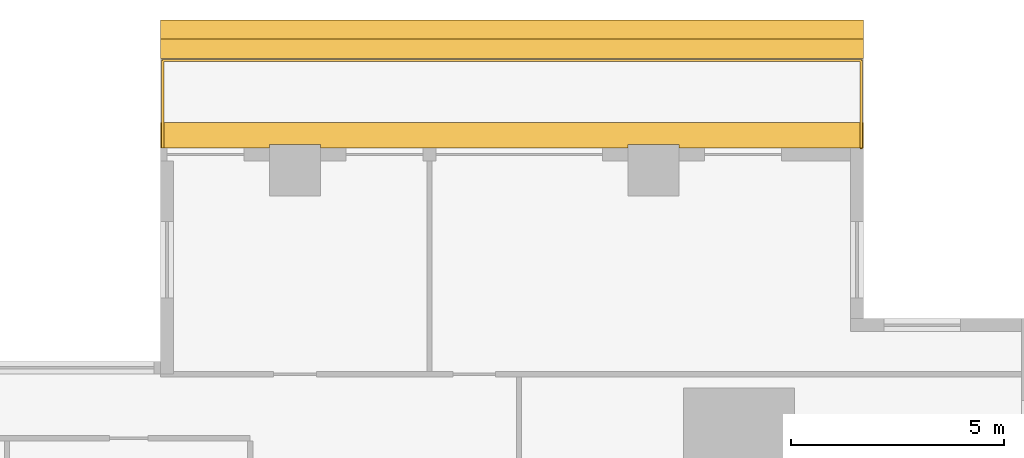
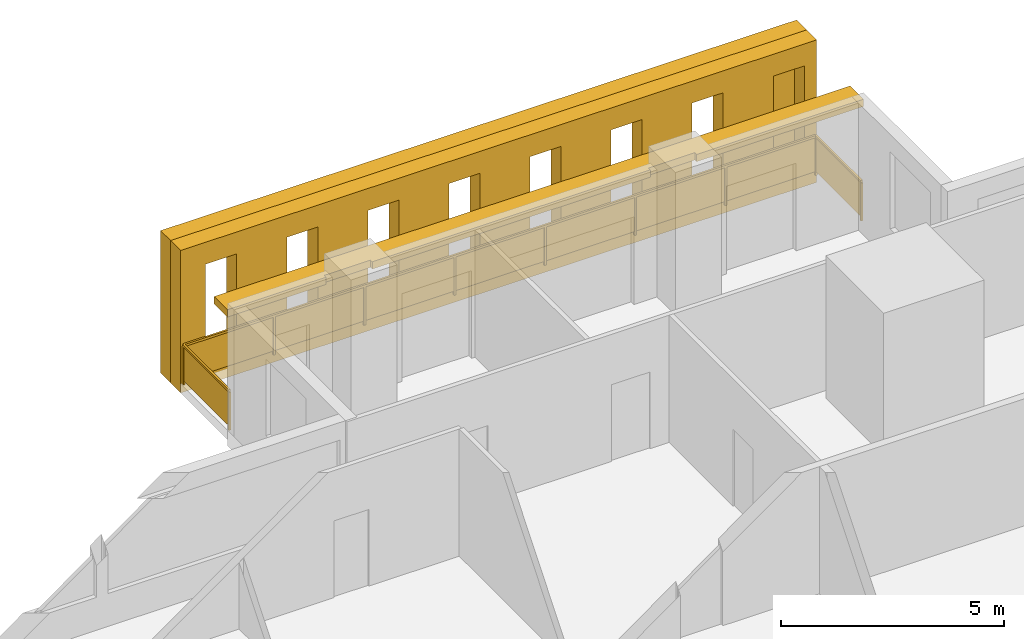
# One storey, part 15 of 15: 3 shading devices, 1 railing.
"""IFC4 building model written with IfcOpenShell, lengths in metres."""

from ifc_helpers import new_model, si_unit, direction, frame, origin, origin_2d, place, context, subcontext, project, spatial, polyline, rectangle, outline, extrude, material, layer, layer_set, type_object, element, save


model = new_model("IFC4")

# Units and contexts
model_context = context("Model", 3, precision=1e-05, world=origin(), true_north=direction((0.0, 1.0)))
body_context = subcontext(model_context, "Body", "Model", "MODEL_VIEW")
ifc_project = project(units=[si_unit("LENGTHUNIT", "METRE"), si_unit("AREAUNIT", "SQUARE_METRE"), si_unit("VOLUMEUNIT", "CUBIC_METRE"), si_unit("PLANEANGLEUNIT", "RADIAN"), si_unit("MASSUNIT", "GRAM", prefix="KILO")], contexts=[model_context])

# Site, building, storey
site_placement = place(None, origin())
site = spatial("IfcSite", under=ifc_project, at=site_placement, CompositionType="ELEMENT")
building_placement = place(site_placement, origin())
building = spatial("IfcBuilding", under=site, at=building_placement, Name="Khepri Terraces", CompositionType="ELEMENT")
storey_placement = place(building_placement, frame((0.0, 0.0, 145.5)))
storey = spatial("IfcBuildingStorey", under=building, at=storey_placement, Name="L34", CompositionType="ELEMENT", Elevation=145.5)

# Railing
ifc_material_1 = material(Name="Stainless steel grade 316", Category="steel")
railing_type = type_object("IfcRailingType", Name="GRD-BAL-1100", PredefinedType="GUARDRAIL", material=ifc_material_1)
railing_placement = place(storey_placement, frame((21.669921875, 25.719970703125, 0.0)))
element("IfcRailing", 1, at=railing_placement, inside=storey, type_object=railing_type, Name="Balcony guard L34 N", PredefinedType="GUARDRAIL", context=body_context, shape_type="SweptSolid", body=[
    extrude(rectangle(XDim=0.050048828125, YDim=0.06005859375, at=origin_2d()), frame((0.0, 0.0, 1.070068359375), z_axis=(0.0, 1.0, 0.0), x_axis=(-1.0, 0.0, 0.0)), (0.0, 0.0, 1.0), 2.050048828125),
    extrude(rectangle(XDim=2.0, YDim=0.011962890625, at=origin_2d()), frame((0.0, 1.02490234375, 0.10009765625), z_axis=(0.0, 0.0, 1.0), x_axis=(0.0, 1.0, 0.0)), (0.0, 0.0, 1.0), 0.93994140625),
    extrude(rectangle(XDim=0.050048828125, YDim=0.06005859375, at=origin_2d()), frame((0.0, 2.050048828125, 1.070068359375), z_axis=(-1.0, 0.0, 0.0), x_axis=(0.0, -1.0, 0.0)), (0.0, 0.0, 1.0), 16.369873046875),
    extrude(rectangle(XDim=2.28857421875, YDim=0.011962890625, at=origin_2d()), frame((-1.169189453125, 2.050048828125, 0.10009765625), z_axis=(0.0, 0.0, 1.0), x_axis=(-1.0, 0.0, 0.0)), (0.0, 0.0, 1.0), 0.93994140625),
    extrude(rectangle(XDim=2.28857421875, YDim=0.011962890625, at=origin_2d()), frame((-3.5078125, 2.050048828125, 0.10009765625), z_axis=(0.0, 0.0, 1.0), x_axis=(-1.0, 0.0, 0.0)), (0.0, 0.0, 1.0), 0.93994140625),
    extrude(rectangle(XDim=2.28857421875, YDim=0.011962890625, at=origin_2d()), frame((-5.846435546875, 2.050048828125, 0.10009765625), z_axis=(0.0, 0.0, 1.0), x_axis=(-1.0, 0.0, 0.0)), (0.0, 0.0, 1.0), 0.93994140625),
    extrude(rectangle(XDim=2.28857421875, YDim=0.011962890625, at=origin_2d()), frame((-8.18505859375, 2.050048828125, 0.10009765625), z_axis=(0.0, 0.0, 1.0), x_axis=(-1.0, 0.0, 0.0)), (0.0, 0.0, 1.0), 0.93994140625),
    extrude(rectangle(XDim=2.28857421875, YDim=0.011962890625, at=origin_2d()), frame((-10.5234375, 2.050048828125, 0.10009765625), z_axis=(0.0, 0.0, 1.0), x_axis=(-1.0, 0.0, 0.0)), (0.0, 0.0, 1.0), 0.93994140625),
    extrude(rectangle(XDim=2.28857421875, YDim=0.011962890625, at=origin_2d()), frame((-12.862060546875, 2.050048828125, 0.10009765625), z_axis=(0.0, 0.0, 1.0), x_axis=(-1.0, 0.0, 0.0)), (0.0, 0.0, 1.0), 0.93994140625),
    extrude(rectangle(XDim=2.28857421875, YDim=0.011962890625, at=origin_2d()), frame((-15.20068359375, 2.050048828125, 0.10009765625), z_axis=(0.0, 0.0, 1.0), x_axis=(-1.0, 0.0, 0.0)), (0.0, 0.0, 1.0), 0.93994140625),
    extrude(rectangle(XDim=0.050048828125, YDim=0.06005859375, at=origin_2d()), frame((-16.369873046875, 2.050048828125, 1.070068359375), z_axis=(0.0, -1.0, 0.0), x_axis=(1.0, 0.0, 0.0)), (0.0, 0.0, 1.0), 2.050048828125),
    extrude(rectangle(XDim=2.0, YDim=0.011962890625, at=origin_2d()), frame((-16.369873046875, 1.02490234375, 0.10009765625), z_axis=(0.0, 0.0, 1.0), x_axis=(0.0, -1.0, 0.0)), (0.0, 0.0, 1.0), 0.93994140625),
    extrude(rectangle(XDim=0.050048828125, YDim=0.050048828125, at=origin_2d()), origin(), (0.0, 0.0, 1.0), 1.0400390625),
    extrude(rectangle(XDim=0.050048828125, YDim=0.050048828125, at=origin_2d()), frame((0.0, 2.050048828125, 0.0)), (0.0, 0.0, 1.0), 1.0400390625),
    extrude(rectangle(XDim=0.050048828125, YDim=0.050048828125, at=origin_2d()), frame((-2.338623046875, 2.050048828125, 0.0)), (0.0, 0.0, 1.0), 1.0400390625),
    extrude(rectangle(XDim=0.050048828125, YDim=0.050048828125, at=origin_2d()), frame((-4.677001953125, 2.050048828125, 0.0)), (0.0, 0.0, 1.0), 1.0400390625),
    extrude(rectangle(XDim=0.050048828125, YDim=0.050048828125, at=origin_2d()), frame((-7.015625, 2.050048828125, 0.0)), (0.0, 0.0, 1.0), 1.0400390625),
    extrude(rectangle(XDim=0.050048828125, YDim=0.050048828125, at=origin_2d()), frame((-9.354248046875, 2.050048828125, 0.0)), (0.0, 0.0, 1.0), 1.0400390625),
    extrude(rectangle(XDim=0.050048828125, YDim=0.050048828125, at=origin_2d()), frame((-11.69287109375, 2.050048828125, 0.0)), (0.0, 0.0, 1.0), 1.0400390625),
    extrude(rectangle(XDim=0.050048828125, YDim=0.050048828125, at=origin_2d()), frame((-14.03125, 2.050048828125, 0.0)), (0.0, 0.0, 1.0), 1.0400390625),
    extrude(rectangle(XDim=0.050048828125, YDim=0.050048828125, at=origin_2d()), frame((-16.369873046875, 2.050048828125, 0.0)), (0.0, 0.0, 1.0), 1.0400390625),
    extrude(rectangle(XDim=0.050048828125, YDim=0.050048828125, at=origin_2d()), frame((-16.369873046875, 0.0, 0.0)), (0.0, 0.0, 1.0), 1.0400390625),
])

# Shading devices
ifc_material_2 = material(Name="Precast concrete C50/60 warm stone", Category="masonry")
shading_device_type_1 = type_object("IfcShadingDeviceType", Name="SCR-CELL-INNER-450", PredefinedType="USERDEFINED", material=ifc_material_2)
shading_device_1_placement = place(storey_placement, frame((21.719970703125, 27.820068359375, -0.25), z_axis=(0.0, 1.0, 0.0), x_axis=(-1.0, 0.0, 0.0)))
element("IfcShadingDevice", 2, at=shading_device_1_placement, inside=storey, type_object=shading_device_type_1, Name="Cell screen L34 N in", ObjectType="SCREEN", PredefinedType="USERDEFINED", context=body_context, shape_type="SweptSolid", body=[
    extrude(outline(polyline([(0.0, 0.0), (16.469970703125, 0.0), (16.469970703125, 3.89990234375), (0.0, 3.89990234375), (0.0, 0.0)]), holes=[polyline([(0.318359375, 0.699951171875), (1.12158203125, 0.699951171875), (1.12158203125, 3.300048828125), (0.318359375, 3.300048828125), (0.318359375, 0.699951171875)]), polyline([(2.41845703125, 0.699951171875), (3.2216796875, 0.699951171875), (3.2216796875, 3.300048828125), (2.41845703125, 3.300048828125), (2.41845703125, 0.699951171875)]), polyline([(4.518310546875, 0.699951171875), (5.321533203125, 0.699951171875), (5.321533203125, 3.300048828125), (4.518310546875, 3.300048828125), (4.518310546875, 0.699951171875)]), polyline([(6.618408203125, 0.699951171875), (7.421630859375, 0.699951171875), (7.421630859375, 3.300048828125), (6.618408203125, 3.300048828125), (6.618408203125, 0.699951171875)]), polyline([(8.718505859375, 0.699951171875), (9.521484375, 0.699951171875), (9.521484375, 3.300048828125), (8.718505859375, 3.300048828125), (8.718505859375, 0.699951171875)]), polyline([(10.818359375, 0.699951171875), (11.62158203125, 0.699951171875), (11.62158203125, 3.300048828125), (10.818359375, 3.300048828125), (10.818359375, 0.699951171875)]), polyline([(12.91845703125, 0.699951171875), (13.7216796875, 0.699951171875), (13.7216796875, 3.300048828125), (12.91845703125, 3.300048828125), (12.91845703125, 0.699951171875)]), polyline([(15.018310546875, 0.699951171875), (15.821533203125, 0.699951171875), (15.821533203125, 3.300048828125), (15.018310546875, 3.300048828125), (15.018310546875, 0.699951171875)])]), origin(), (0.0, 0.0, 1.0), 0.449951171875),
])
shading_device_type_2 = type_object("IfcShadingDeviceType", Name="SCR-CELL-OUTER-450", PredefinedType="USERDEFINED", material=ifc_material_2)
shading_device_2_placement = place(storey_placement, frame((21.719970703125, 28.27001953125, -0.25), z_axis=(0.0, 1.0, 0.0), x_axis=(-1.0, 0.0, 0.0)))
element("IfcShadingDevice", 3, at=shading_device_2_placement, inside=storey, type_object=shading_device_type_2, Name="Cell screen L34 N out", ObjectType="SCREEN", PredefinedType="USERDEFINED", context=body_context, shape_type="SweptSolid", body=[
    extrude(outline(polyline([(0.0, 0.0), (16.469970703125, 0.0), (16.469970703125, 3.89990234375), (0.0, 3.89990234375), (0.0, 0.0)]), holes=[polyline([(2.068359375, 0.449951171875), (3.571533203125, 0.449951171875), (3.571533203125, 3.550048828125), (2.068359375, 3.550048828125), (2.068359375, 0.449951171875)]), polyline([(4.16845703125, 0.449951171875), (5.671630859375, 0.449951171875), (5.671630859375, 3.550048828125), (4.16845703125, 3.550048828125), (4.16845703125, 0.449951171875)]), polyline([(6.268310546875, 0.449951171875), (7.771484375, 0.449951171875), (7.771484375, 3.550048828125), (6.268310546875, 3.550048828125), (6.268310546875, 0.449951171875)]), polyline([(8.368408203125, 0.449951171875), (9.87158203125, 0.449951171875), (9.87158203125, 3.550048828125), (8.368408203125, 3.550048828125), (8.368408203125, 0.449951171875)]), polyline([(10.468505859375, 0.449951171875), (11.9716796875, 0.449951171875), (11.9716796875, 3.550048828125), (10.468505859375, 3.550048828125), (10.468505859375, 0.449951171875)]), polyline([(12.568359375, 0.449951171875), (14.071533203125, 0.449951171875), (14.071533203125, 3.550048828125), (12.568359375, 3.550048828125), (12.568359375, 0.449951171875)]), polyline([(14.66845703125, 0.449951171875), (16.171630859375, 0.449951171875), (16.171630859375, 3.550048828125), (14.66845703125, 3.550048828125), (14.66845703125, 0.449951171875)])]), origin(), (0.0, 0.0, 1.0), 0.449951171875),
])
ifc_layer = layer(ifc_material_2, 0.199951171875, Name="Precast concrete C50/60 warm stone", Category="masonry")
ifc_layer_set = layer_set([ifc_layer], Name="Precast concrete C50/60 warm stone")
shading_device_type_3 = type_object("IfcShadingDeviceType", Name="SSH-BAND-STONE-200-N", PredefinedType="USERDEFINED", material=ifc_layer_set)
shading_device_3_placement = place(storey_placement, frame((0.0, 0.0, 3.10009765625)))
element("IfcShadingDevice", 4, at=shading_device_3_placement, inside=storey, type_object=shading_device_type_3, Name="Sunshade band L34 N", ObjectType="SUNSHADE", PredefinedType="USERDEFINED", context=body_context, shape_type="SweptSolid", body=[
    extrude(outline(polyline([(17.39990234375, 25.719970703125), (21.719970703125, 25.719970703125), (21.719970703125, 26.320068359375), (5.25, 26.320068359375), (5.25, 25.719970703125), (7.800048828125, 25.719970703125), (7.800048828125, 25.800048828125), (9.0, 25.800048828125), (9.0, 25.719970703125), (16.199951171875, 25.719970703125), (16.199951171875, 25.800048828125), (17.39990234375, 25.800048828125), (17.39990234375, 25.719970703125)])), origin(), (0.0, 0.0, 1.0), 0.199951171875),
])

save(model, "model.ifc")
